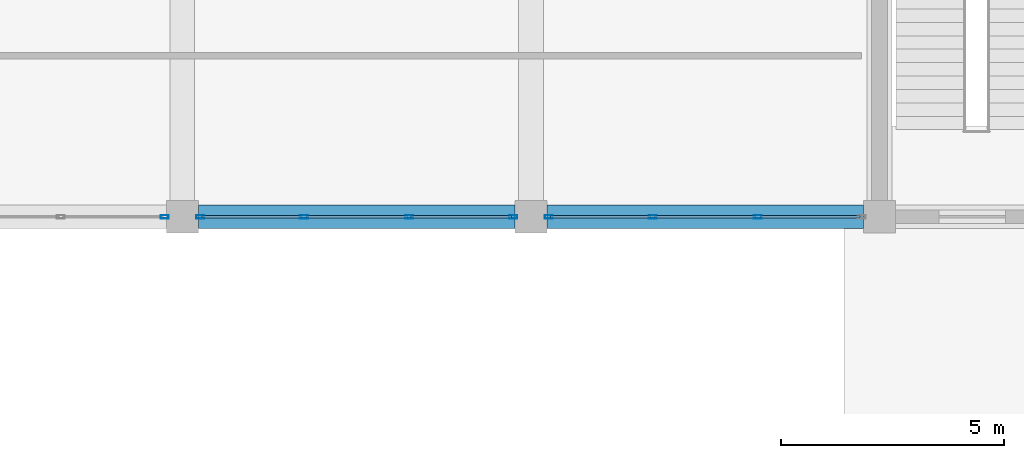
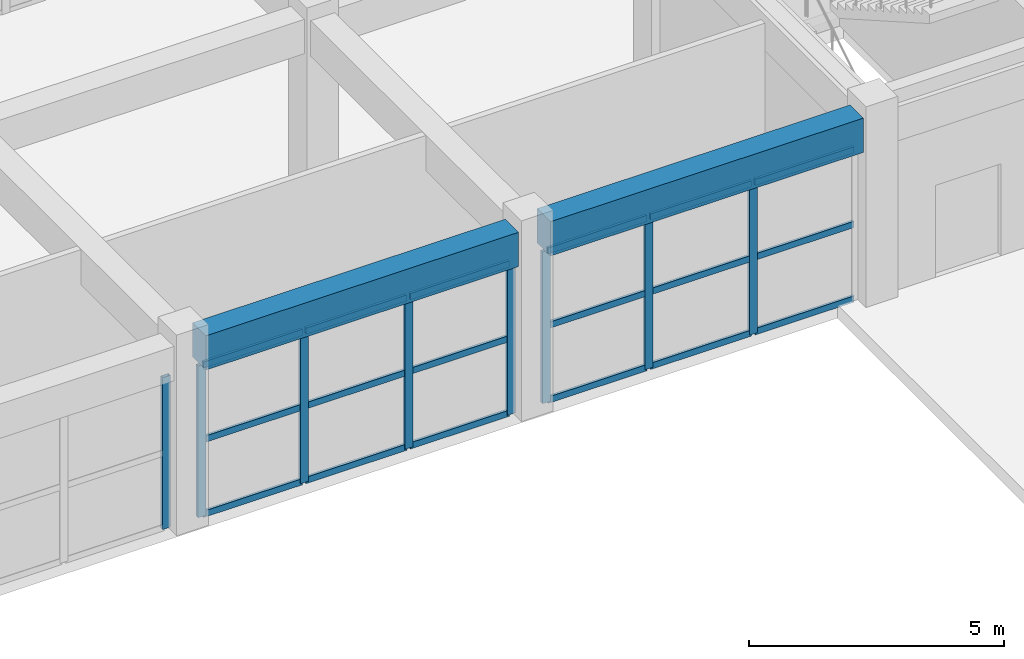
# One storey, part 78 of 139: 26 members, 2 beams, 3 elements without a shape of their own.
"""IFC4 building model written with IfcOpenShell, lengths in metres."""

import ifcopenshell
import ifcopenshell.guid

model = None  # the IFC model being written
_history = None  # IfcOwnerHistory: only IFC2X3 demands one
_inside = {}  # id of a spatial element -> (the spatial element, [elements in it])
_under = {}  # id of a project, library or spatial element -> (it, [spatial elements below it])
_declared = {}  # id of a project -> (the project, [libraries it declares])
_typed = {}  # id of a type object -> (the type object, [elements of that type])
_made_of = {}  # id of a material, layer set ... -> (it, [elements and type objects made of it])


def new_model(schema):
    """Start an empty IFC model of exactly this schema.

    Asked for "IFC4X3", IfcOpenShell would pick the latest addendum, in which some entities
    have other attributes; the version numbers below select the first issue.
    IFC2X3 requires an IfcOwnerHistory on every rooted entity: one is made here for all.
    """
    global model, _history
    if schema == "IFC4X3":
        model = ifcopenshell.file(schema_version=(4, 3, 0, 0))
    else:
        model = ifcopenshell.file(schema=schema)
    _inside.clear()
    _under.clear()
    _declared.clear()
    _typed.clear()
    _made_of.clear()
    _history = None
    if model.schema == "IFC2X3":
        org = make("IfcOrganization", Name="unknown")
        user = make(
            "IfcPersonAndOrganization",
            ThePerson=make("IfcPerson", FamilyName="unknown"),
            TheOrganization=org,
        )
        app = make(
            "IfcApplication",
            ApplicationDeveloper=org,
            Version="unknown",
            ApplicationFullName="unknown",
            ApplicationIdentifier="unknown",
        )
        _history = make(
            "IfcOwnerHistory",
            OwningUser=user,
            OwningApplication=app,
            ChangeAction="ADDED",
            CreationDate=0,
        )
    return model


def make(cls, **values):
    """One entity of the class cls with the attributes given. An attribute that is None is left unset."""
    return model.create_entity(
        cls, **{name: value for name, value in values.items() if value is not None}
    )


def rooted(cls, **values):
    """An entity with a GlobalId (a new one), such as an element, a storey or a relation."""
    return make(cls, GlobalId=ifcopenshell.guid.new(), OwnerHistory=_history, **values)


def si_unit(unit_type, name, prefix=None):
    """IfcSIUnit, for example si_unit("LENGTHUNIT", "METRE", prefix="MILLI")."""
    return make("IfcSIUnit", UnitType=unit_type, Prefix=prefix, Name=name)


def assignment(units):
    """IfcUnitAssignment: the units of a project."""
    return None if units is None else make("IfcUnitAssignment", Units=units)


def point(xyz):
    """IfcCartesianPoint."""
    return None if xyz is None else make("IfcCartesianPoint", Coordinates=xyz)


def direction(xyz):
    """IfcDirection."""
    return None if xyz is None else make("IfcDirection", DirectionRatios=xyz)


def frame(location, z_axis=None, x_axis=None):
    """IfcAxis2Placement3D, a coordinate frame: its origin and axes. An axis left out is left unset."""
    return make(
        "IfcAxis2Placement3D",
        Location=point(location),
        Axis=direction(z_axis),
        RefDirection=direction(x_axis),
    )


def frame_2d(location, x_axis=None):
    """IfcAxis2Placement2D, a coordinate frame in the plane: its origin and x axis."""
    return make(
        "IfcAxis2Placement2D", Location=point(location), RefDirection=direction(x_axis)
    )


def origin():
    """The frame at (0, 0, 0) with its axes left unset."""
    return frame((0.0, 0.0, 0.0))


def origin_2d():
    """The frame at (0, 0) in the plane with its x axis left unset."""
    return frame_2d((0.0, 0.0))


def place(relative_to, where):
    """IfcLocalPlacement: puts the frame where relative to a parent placement (None: the world)."""
    return make(
        "IfcLocalPlacement", PlacementRelTo=relative_to, RelativePlacement=where
    )


def context(
    kind, dimensions, precision=None, world=None, true_north=None, identifier=None
):
    """IfcGeometricRepresentationContext, for example the 3D "Model" context."""
    return make(
        "IfcGeometricRepresentationContext",
        ContextIdentifier=identifier,
        ContextType=kind,
        CoordinateSpaceDimension=dimensions,
        Precision=precision,
        WorldCoordinateSystem=world,
        TrueNorth=true_north,
    )


def subcontext(parent, identifier, kind, view, scale=None):
    """IfcGeometricRepresentationSubContext, for example "Body" below "Model"."""
    return make(
        "IfcGeometricRepresentationSubContext",
        ContextIdentifier=identifier,
        ContextType=kind,
        ParentContext=parent,
        TargetScale=scale,
        TargetView=view,
    )


def project(units=None, contexts=None):
    """IfcProject with its units and contexts."""
    return rooted(
        "IfcProject",
        Name="project",
        RepresentationContexts=contexts,
        UnitsInContext=assignment(units),
    )


def spatial(cls, under=None, at=None, **own):
    """A site, building, storey or space (cls), placed at a placement, below another one or the project."""
    s = rooted(cls, ObjectPlacement=at, **own)
    if under is not None:
        _under.setdefault(under.id(), (under, []))[1].append(s)
    return s


def profile(cls, at=None, kind="AREA", **sizes):
    """A parametric profile (cls). Its sizes go by their IFC names, for example OverallWidth=200.0."""
    return make(cls, ProfileType=kind, Position=at, **sizes)


def rectangle(**sizes):
    """IfcRectangleProfileDef."""
    return profile("IfcRectangleProfileDef", **sizes)


def hollow_rectangle(**sizes):
    """IfcRectangleHollowProfileDef."""
    return profile("IfcRectangleHollowProfileDef", **sizes)


def extrude(swept, where, along, depth):
    """IfcExtrudedAreaSolid: the profile swept, set in the frame where, extruded along a direction by depth."""
    return make(
        "IfcExtrudedAreaSolid",
        SweptArea=swept,
        Position=where,
        ExtrudedDirection=direction(along),
        Depth=depth,
    )


def shape(context_of_items, identifier, shape_type, items):
    """IfcShapeRepresentation: the items that make up one representation, for example the "Body"."""
    return make(
        "IfcShapeRepresentation",
        ContextOfItems=context_of_items,
        RepresentationIdentifier=identifier,
        RepresentationType=shape_type,
        Items=items,
    )


def material(Name=None, Category=None):
    """IfcMaterial."""
    return make("IfcMaterial", Name=Name, Category=Category)


def layer(
    of_material, thickness, ventilated=None, Name=None, Category=None, Priority=None
):
    """IfcMaterialLayer: one layer of a wall or slab, of a material (None: an air gap)."""
    return make(
        "IfcMaterialLayer",
        Material=of_material,
        LayerThickness=thickness,
        IsVentilated=ventilated,
        Name=Name,
        Category=Category,
        Priority=Priority,
    )


def layer_set(layers, Name=None):
    """IfcMaterialLayerSet."""
    return make("IfcMaterialLayerSet", MaterialLayers=layers, LayerSetName=Name)


def material_profile(
    of_material, cross_section, Name=None, Category=None, Priority=None
):
    """IfcMaterialProfile: a cross section and its material."""
    return make(
        "IfcMaterialProfile",
        Name=Name,
        Material=of_material,
        Profile=cross_section,
        Priority=Priority,
        Category=Category,
    )


def profile_set(profiles, Name=None, composite=None):
    """IfcMaterialProfileSet."""
    return make(
        "IfcMaterialProfileSet",
        Name=Name,
        MaterialProfiles=profiles,
        CompositeProfile=composite,
    )


def made_of(thing, what):
    """Note that an element or type object is made of a material, layer set ...; save() writes the relation."""
    if what is not None:
        _made_of.setdefault(what.id(), (what, []))[1].append(thing)
    return thing


def type_object(cls, material=None, **own):
    """A type object (cls), such as IfcWallType, which elements share."""
    return made_of(rooted(cls, **own), material)


def element(
    cls,
    number,
    at=None,
    inside=None,
    cuts=None,
    type_object=None,
    material=None,
    context=None,
    identifier="Body",
    shape_type=None,
    held_by="IfcProductDefinitionShape",
    body=None,
    shapes=None,
    **own,
):
    """One element of the class cls, such as IfcWall. Its Tag is "e" and its number.

    at: its placement. inside: the storey or other place that contains it. cuts: it is an
    opening in that element (IfcRelVoidsElement). A single representation is given by context,
    identifier, shape_type and body (its items); several are given by shapes. held_by: the class
    of the entity that holds the representations. save() writes the other relations.
    """
    e = rooted(cls, Tag="e%d" % number, ObjectPlacement=at, **own)
    if body is not None:
        shapes = [shape(context, identifier, shape_type, body)]
    if shapes is not None:
        e.Representation = make(held_by, Representations=shapes)
    if inside is not None:
        _inside.setdefault(inside.id(), (inside, []))[1].append(e)
    if cuts is not None:
        rooted(
            "IfcRelVoidsElement", RelatingBuildingElement=cuts, RelatedOpeningElement=e
        )
    if type_object is not None:
        _typed.setdefault(type_object.id(), (type_object, []))[1].append(e)
    return made_of(e, material)


def aggregate(whole, parts):
    """IfcRelAggregates: a whole, such as a stair, and the parts it consists of."""
    return rooted("IfcRelAggregates", RelatingObject=whole, RelatedObjects=parts)


def save(model, path):
    """Write the relations noted so far, then the file.

    IfcRelAggregates (storeys below a building ...), IfcRelContainedInSpatialStructure (elements
    in a storey), IfcRelDefinesByType, IfcRelAssociatesMaterial and IfcRelDeclares: one each for
    every whole, place, type object, material and project.
    """
    for whole, parts in _under.values():
        aggregate(whole, parts)
    for where, things in _inside.values():
        rooted(
            "IfcRelContainedInSpatialStructure",
            RelatedElements=things,
            RelatingStructure=where,
        )
    for kind, things in _typed.values():
        rooted("IfcRelDefinesByType", RelatedObjects=things, RelatingType=kind)
    for what, things in _made_of.values():
        rooted("IfcRelAssociatesMaterial", RelatedObjects=things, RelatingMaterial=what)
    for by, libraries in _declared.values():
        rooted("IfcRelDeclares", RelatingContext=by, RelatedDefinitions=libraries)
    model.write(path)


model = new_model("IFC4")

# Units and contexts
model_context = context("Model", 3, precision=1e-05, world=origin(), true_north=direction((0.0, 1.0)))
body_context = subcontext(model_context, "Body", "Model", "MODEL_VIEW")
ifc_project = project(units=[si_unit("LENGTHUNIT", "METRE"), si_unit("AREAUNIT", "SQUARE_METRE"), si_unit("VOLUMEUNIT", "CUBIC_METRE"), si_unit("PLANEANGLEUNIT", "RADIAN"), si_unit("MASSUNIT", "GRAM", prefix="KILO")], contexts=[model_context])

# Site, building, storey
site_placement = place(None, origin())
site = spatial("IfcSite", under=ifc_project, at=site_placement, CompositionType="ELEMENT")
building_placement = place(site_placement, origin())
building = spatial("IfcBuilding", under=site, at=building_placement, Name="Zizhar Promenade General Hospital", CompositionType="ELEMENT")
storey_placement = place(building_placement, origin())
storey = spatial("IfcBuildingStorey", under=building, at=storey_placement, Name="L00", CompositionType="ELEMENT", Elevation=0.0)

# Beams
ifc_material_1 = material(Name="Concrete C35/45", Category="concrete")
ifc_material_profile_1 = material_profile(ifc_material_1, rectangle(XDim=0.52001953125, YDim=0.820068359375, at=origin_2d()))
ifc_profile_set_1 = profile_set([ifc_material_profile_1], Name="Concrete C35/45")
beam_type = type_object("IfcBeamType", Name="BM-RC-520x820", PredefinedType="BEAM", material=ifc_profile_set_1)
beam_1_placement = place(storey_placement, frame((156.360107421875, 92.39990234375, 4.06005859375), z_axis=(1.0, 0.0, 0.0), x_axis=(0.0, 1.0, 0.0)))
element("IfcBeam", 1, at=beam_1_placement, inside=storey, type_object=beam_type, Name="Grid Beam X L00 (20-11)", PredefinedType="BEAM", context=body_context, shape_type="SweptSolid", body=[
    extrude(rectangle(XDim=0.52001953125, YDim=0.820068359375, at=origin_2d()), origin(), (0.0, 0.0, 1.0), 7.079833984375),
])
beam_2_placement = place(storey_placement, frame((164.159912109375, 92.39990234375, 4.06005859375), z_axis=(1.0, 0.0, 0.0), x_axis=(0.0, 1.0, 0.0)))
element("IfcBeam", 2, at=beam_2_placement, inside=storey, type_object=beam_type, Name="Grid Beam X L00 (21-11)", PredefinedType="BEAM", context=body_context, shape_type="SweptSolid", body=[
    extrude(rectangle(XDim=0.52001953125, YDim=0.820068359375, at=origin_2d()), origin(), (0.0, 0.0, 1.0), 7.080078125),
])

# Curtain wall, member
ifc_material_2 = material(Name="Anodised aluminium 6063-T6 and low-E glass", Category="aluminium")
ifc_layer = layer(ifc_material_2, 0.159912109375)
ifc_layer_set = layer_set([ifc_layer], Name="Anodised aluminium 6063-T6 and low-E glass")
curtain_wall_type = type_object("IfcCurtainWallType", Name="CW-CLN-CRT", PredefinedType="NOTDEFINED", material=ifc_layer_set)
curtain_wall_1_placement = place(storey_placement, origin())
curtain_wall_1 = element("IfcCurtainWall", 3, at=curtain_wall_1_placement, inside=storey, type_object=curtain_wall_type, Name="East Light Court North Glazing L00-19", PredefinedType="NOTDEFINED")
ifc_material_3 = material(Name="Anodised aluminium 6063-T6", Category="aluminium")
ifc_material_profile_2 = material_profile(ifc_material_3, hollow_rectangle(XDim=0.080078125, YDim=0.179931640625, WallThickness=0.0048828125, at=origin_2d()))
ifc_profile_set_2 = profile_set([ifc_material_profile_2], Name="Anodised aluminium 6063-T6")
member_type_1 = type_object("IfcMemberType", Name="CWM-ALU-180x80", PredefinedType="MULLION", material=ifc_profile_set_2)
member_1_placement = place(storey_placement, frame((155.60009765625, 92.39990234375, 0.0), z_axis=(0.0, 0.0, 1.0), x_axis=(0.0, -1.0, 0.0)))
member_1 = element("IfcMember", 4, at=member_1_placement, type_object=member_type_1, Name="CW-10 mullion 1", PredefinedType="MULLION", context=body_context, shape_type="SweptSolid", body=[
    extrude(hollow_rectangle(XDim=0.080078125, YDim=0.179931640625, WallThickness=0.0048828125, at=origin_2d()), origin(), (0.0, 0.0, 1.0), 3.6298828125),
])
aggregate(curtain_wall_1, [member_1])

# Curtain wall, members
curtain_wall_2_placement = place(storey_placement, origin())
curtain_wall_2 = element("IfcCurtainWall", 5, at=curtain_wall_2_placement, inside=storey, type_object=curtain_wall_type, Name="East Light Court North Glazing L00-20", PredefinedType="NOTDEFINED")
member_2_placement = place(storey_placement, frame((163.39990234375, 92.39990234375, 0.0), z_axis=(0.0, 0.0, 1.0), x_axis=(0.0, -1.0, 0.0)))
member_2 = element("IfcMember", 6, at=member_2_placement, type_object=member_type_1, Name="CW-10 mullion 1", PredefinedType="MULLION", context=body_context, shape_type="SweptSolid", body=[
    extrude(hollow_rectangle(XDim=0.080078125, YDim=0.179931640625, WallThickness=0.0048828125, at=origin_2d()), origin(), (0.0, 0.0, 1.0), 3.6298828125),
])
member_3_placement = place(storey_placement, frame((161.080078125, 92.39990234375, 0.0), z_axis=(0.0, 0.0, 1.0), x_axis=(0.0, -1.0, 0.0)))
member_3 = element("IfcMember", 7, at=member_3_placement, type_object=member_type_1, Name="CW-10 mullion 2", PredefinedType="MULLION", context=body_context, shape_type="SweptSolid", body=[
    extrude(hollow_rectangle(XDim=0.080078125, YDim=0.179931640625, WallThickness=0.0048828125, at=origin_2d()), origin(), (0.0, 0.0, 1.0), 3.6298828125),
])
member_4_placement = place(storey_placement, frame((158.719970703125, 92.39990234375, 0.0), z_axis=(0.0, 0.0, 1.0), x_axis=(0.0, -1.0, 0.0)))
member_4 = element("IfcMember", 8, at=member_4_placement, type_object=member_type_1, Name="CW-10 mullion 3", PredefinedType="MULLION", context=body_context, shape_type="SweptSolid", body=[
    extrude(hollow_rectangle(XDim=0.080078125, YDim=0.179931640625, WallThickness=0.0048828125, at=origin_2d()), origin(), (0.0, 0.0, 1.0), 3.6298828125),
])
member_5_placement = place(storey_placement, frame((156.39990234375, 92.39990234375, 0.0), z_axis=(0.0, 0.0, 1.0), x_axis=(0.0, -1.0, 0.0)))
member_5 = element("IfcMember", 9, at=member_5_placement, type_object=member_type_1, Name="CW-10 mullion 4", PredefinedType="MULLION", context=body_context, shape_type="SweptSolid", body=[
    extrude(hollow_rectangle(XDim=0.080078125, YDim=0.179931640625, WallThickness=0.0048828125, at=origin_2d()), origin(), (0.0, 0.0, 1.0), 3.6298828125),
])

curtain_wall_3_placement = place(storey_placement, origin())
curtain_wall_3 = element("IfcCurtainWall", 10, at=curtain_wall_3_placement, inside=storey, type_object=curtain_wall_type, Name="East Light Court North Glazing L00-21", PredefinedType="NOTDEFINED")
member_6_placement = place(storey_placement, frame((168.8798828125, 92.39990234375, 0.0), z_axis=(0.0, 0.0, 1.0), x_axis=(0.0, -1.0, 0.0)))
member_6 = element("IfcMember", 11, at=member_6_placement, type_object=member_type_1, Name="CW-10 mullion 2", PredefinedType="MULLION", context=body_context, shape_type="SweptSolid", body=[
    extrude(hollow_rectangle(XDim=0.080078125, YDim=0.179931640625, WallThickness=0.0048828125, at=origin_2d()), origin(), (0.0, 0.0, 1.0), 3.6298828125),
])
member_7_placement = place(storey_placement, frame((166.52001953125, 92.39990234375, 0.0), z_axis=(0.0, 0.0, 1.0), x_axis=(0.0, -1.0, 0.0)))
member_7 = element("IfcMember", 12, at=member_7_placement, type_object=member_type_1, Name="CW-10 mullion 3", PredefinedType="MULLION", context=body_context, shape_type="SweptSolid", body=[
    extrude(hollow_rectangle(XDim=0.080078125, YDim=0.179931640625, WallThickness=0.0048828125, at=origin_2d()), origin(), (0.0, 0.0, 1.0), 3.6298828125),
])
member_8_placement = place(storey_placement, frame((164.199951171875, 92.39990234375, 0.0), z_axis=(0.0, 0.0, 1.0), x_axis=(0.0, -1.0, 0.0)))
member_8 = element("IfcMember", 13, at=member_8_placement, type_object=member_type_1, Name="CW-10 mullion 4", PredefinedType="MULLION", context=body_context, shape_type="SweptSolid", body=[
    extrude(hollow_rectangle(XDim=0.080078125, YDim=0.179931640625, WallThickness=0.0048828125, at=origin_2d()), origin(), (0.0, 0.0, 1.0), 3.6298828125),
])

# Member
ifc_material_4 = material(Name="Anodised aluminium 6063-T6", Category="aluminium")
ifc_material_profile_3 = material_profile(ifc_material_4, hollow_rectangle(XDim=0.06005859375, YDim=0.14990234375, WallThickness=0.00390625, at=origin_2d()))
ifc_profile_set_3 = profile_set([ifc_material_profile_3], Name="Anodised aluminium 6063-T6")
member_type_2 = type_object("IfcMemberType", Name="CWT-ALU-150x60", PredefinedType="USERDEFINED", material=ifc_profile_set_3)
member_9_placement = place(storey_placement, frame((163.360107421875, 92.39990234375, 0.030029296875), z_axis=(-1.0, 0.0, 0.0), x_axis=(0.0, -1.0, 0.0)))
member_9 = element("IfcMember", 14, at=member_9_placement, type_object=member_type_2, Name="CW-10 transom 1.1", ObjectType="TRANSOM", PredefinedType="USERDEFINED", context=body_context, shape_type="SweptSolid", body=[
    extrude(hollow_rectangle(XDim=0.06005859375, YDim=0.14990234375, WallThickness=0.00390625, at=origin_2d()), origin(), (0.0, 0.0, 1.0), 2.239990234375),
])

member_10_placement = place(storey_placement, frame((163.360107421875, 92.39990234375, 1.81494140625), z_axis=(-1.0, 0.0, 0.0), x_axis=(0.0, -1.0, 0.0)))
member_10 = element("IfcMember", 15, at=member_10_placement, type_object=member_type_2, Name="CW-10 transom 1.2", ObjectType="TRANSOM", PredefinedType="USERDEFINED", context=body_context, shape_type="SweptSolid", body=[
    extrude(hollow_rectangle(XDim=0.06005859375, YDim=0.14990234375, WallThickness=0.00390625, at=origin_2d()), origin(), (0.0, 0.0, 1.0), 2.239990234375),
])

member_11_placement = place(storey_placement, frame((163.360107421875, 92.39990234375, 3.60009765625), z_axis=(-1.0, 0.0, 0.0), x_axis=(0.0, -1.0, 0.0)))
member_11 = element("IfcMember", 16, at=member_11_placement, type_object=member_type_2, Name="CW-10 transom 1.3", ObjectType="TRANSOM", PredefinedType="USERDEFINED", context=body_context, shape_type="SweptSolid", body=[
    extrude(hollow_rectangle(XDim=0.06005859375, YDim=0.14990234375, WallThickness=0.00390625, at=origin_2d()), origin(), (0.0, 0.0, 1.0), 2.239990234375),
])

member_12_placement = place(storey_placement, frame((161.0400390625, 92.39990234375, 0.030029296875), z_axis=(-1.0, 0.0, 0.0), x_axis=(0.0, -1.0, 0.0)))
member_12 = element("IfcMember", 17, at=member_12_placement, type_object=member_type_2, Name="CW-10 transom 2.1", ObjectType="TRANSOM", PredefinedType="USERDEFINED", context=body_context, shape_type="SweptSolid", body=[
    extrude(hollow_rectangle(XDim=0.06005859375, YDim=0.14990234375, WallThickness=0.00390625, at=origin_2d()), origin(), (0.0, 0.0, 1.0), 2.280029296875),
])

member_13_placement = place(storey_placement, frame((161.0400390625, 92.39990234375, 1.81494140625), z_axis=(-1.0, 0.0, 0.0), x_axis=(0.0, -1.0, 0.0)))
member_13 = element("IfcMember", 18, at=member_13_placement, type_object=member_type_2, Name="CW-10 transom 2.2", ObjectType="TRANSOM", PredefinedType="USERDEFINED", context=body_context, shape_type="SweptSolid", body=[
    extrude(hollow_rectangle(XDim=0.06005859375, YDim=0.14990234375, WallThickness=0.00390625, at=origin_2d()), origin(), (0.0, 0.0, 1.0), 2.280029296875),
])

member_14_placement = place(storey_placement, frame((161.0400390625, 92.39990234375, 3.60009765625), z_axis=(-1.0, 0.0, 0.0), x_axis=(0.0, -1.0, 0.0)))
member_14 = element("IfcMember", 19, at=member_14_placement, type_object=member_type_2, Name="CW-10 transom 2.3", ObjectType="TRANSOM", PredefinedType="USERDEFINED", context=body_context, shape_type="SweptSolid", body=[
    extrude(hollow_rectangle(XDim=0.06005859375, YDim=0.14990234375, WallThickness=0.00390625, at=origin_2d()), origin(), (0.0, 0.0, 1.0), 2.280029296875),
])

member_15_placement = place(storey_placement, frame((158.679931640625, 92.39990234375, 0.030029296875), z_axis=(-1.0, 0.0, 0.0), x_axis=(0.0, -1.0, 0.0)))
member_15 = element("IfcMember", 20, at=member_15_placement, type_object=member_type_2, Name="CW-10 transom 3.1", ObjectType="TRANSOM", PredefinedType="USERDEFINED", context=body_context, shape_type="SweptSolid", body=[
    extrude(hollow_rectangle(XDim=0.06005859375, YDim=0.14990234375, WallThickness=0.00390625, at=origin_2d()), origin(), (0.0, 0.0, 1.0), 2.239990234375),
])

member_16_placement = place(storey_placement, frame((158.679931640625, 92.39990234375, 1.81494140625), z_axis=(-1.0, 0.0, 0.0), x_axis=(0.0, -1.0, 0.0)))
member_16 = element("IfcMember", 21, at=member_16_placement, type_object=member_type_2, Name="CW-10 transom 3.2", ObjectType="TRANSOM", PredefinedType="USERDEFINED", context=body_context, shape_type="SweptSolid", body=[
    extrude(hollow_rectangle(XDim=0.06005859375, YDim=0.14990234375, WallThickness=0.00390625, at=origin_2d()), origin(), (0.0, 0.0, 1.0), 2.239990234375),
])

member_17_placement = place(storey_placement, frame((158.679931640625, 92.39990234375, 3.60009765625), z_axis=(-1.0, 0.0, 0.0), x_axis=(0.0, -1.0, 0.0)))
member_17 = element("IfcMember", 22, at=member_17_placement, type_object=member_type_2, Name="CW-10 transom 3.3", ObjectType="TRANSOM", PredefinedType="USERDEFINED", context=body_context, shape_type="SweptSolid", body=[
    extrude(hollow_rectangle(XDim=0.06005859375, YDim=0.14990234375, WallThickness=0.00390625, at=origin_2d()), origin(), (0.0, 0.0, 1.0), 2.239990234375),
])

aggregate(curtain_wall_2, [member_2, member_3, member_4, member_5, member_9, member_10, member_11, member_12, member_13, member_14, member_15, member_16, member_17])

member_18_placement = place(storey_placement, frame((171.159912109375, 92.39990234375, 0.030029296875), z_axis=(-1.0, 0.0, 0.0), x_axis=(0.0, -1.0, 0.0)))
member_18 = element("IfcMember", 23, at=member_18_placement, type_object=member_type_2, Name="CW-10 transom 1.1", ObjectType="TRANSOM", PredefinedType="USERDEFINED", context=body_context, shape_type="SweptSolid", body=[
    extrude(hollow_rectangle(XDim=0.06005859375, YDim=0.14990234375, WallThickness=0.00390625, at=origin_2d()), origin(), (0.0, 0.0, 1.0), 2.239990234375),
])

member_19_placement = place(storey_placement, frame((171.159912109375, 92.39990234375, 1.81494140625), z_axis=(-1.0, 0.0, 0.0), x_axis=(0.0, -1.0, 0.0)))
member_19 = element("IfcMember", 24, at=member_19_placement, type_object=member_type_2, Name="CW-10 transom 1.2", ObjectType="TRANSOM", PredefinedType="USERDEFINED", context=body_context, shape_type="SweptSolid", body=[
    extrude(hollow_rectangle(XDim=0.06005859375, YDim=0.14990234375, WallThickness=0.00390625, at=origin_2d()), origin(), (0.0, 0.0, 1.0), 2.239990234375),
])

member_20_placement = place(storey_placement, frame((171.159912109375, 92.39990234375, 3.60009765625), z_axis=(-1.0, 0.0, 0.0), x_axis=(0.0, -1.0, 0.0)))
member_20 = element("IfcMember", 25, at=member_20_placement, type_object=member_type_2, Name="CW-10 transom 1.3", ObjectType="TRANSOM", PredefinedType="USERDEFINED", context=body_context, shape_type="SweptSolid", body=[
    extrude(hollow_rectangle(XDim=0.06005859375, YDim=0.14990234375, WallThickness=0.00390625, at=origin_2d()), origin(), (0.0, 0.0, 1.0), 2.239990234375),
])

member_21_placement = place(storey_placement, frame((168.840087890625, 92.39990234375, 0.030029296875), z_axis=(-1.0, 0.0, 0.0), x_axis=(0.0, -1.0, 0.0)))
member_21 = element("IfcMember", 26, at=member_21_placement, type_object=member_type_2, Name="CW-10 transom 2.1", ObjectType="TRANSOM", PredefinedType="USERDEFINED", context=body_context, shape_type="SweptSolid", body=[
    extrude(hollow_rectangle(XDim=0.06005859375, YDim=0.14990234375, WallThickness=0.00390625, at=origin_2d()), origin(), (0.0, 0.0, 1.0), 2.280029296875),
])

member_22_placement = place(storey_placement, frame((168.840087890625, 92.39990234375, 1.81494140625), z_axis=(-1.0, 0.0, 0.0), x_axis=(0.0, -1.0, 0.0)))
member_22 = element("IfcMember", 27, at=member_22_placement, type_object=member_type_2, Name="CW-10 transom 2.2", ObjectType="TRANSOM", PredefinedType="USERDEFINED", context=body_context, shape_type="SweptSolid", body=[
    extrude(hollow_rectangle(XDim=0.06005859375, YDim=0.14990234375, WallThickness=0.00390625, at=origin_2d()), origin(), (0.0, 0.0, 1.0), 2.280029296875),
])

member_23_placement = place(storey_placement, frame((168.840087890625, 92.39990234375, 3.60009765625), z_axis=(-1.0, 0.0, 0.0), x_axis=(0.0, -1.0, 0.0)))
member_23 = element("IfcMember", 28, at=member_23_placement, type_object=member_type_2, Name="CW-10 transom 2.3", ObjectType="TRANSOM", PredefinedType="USERDEFINED", context=body_context, shape_type="SweptSolid", body=[
    extrude(hollow_rectangle(XDim=0.06005859375, YDim=0.14990234375, WallThickness=0.00390625, at=origin_2d()), origin(), (0.0, 0.0, 1.0), 2.280029296875),
])

member_24_placement = place(storey_placement, frame((166.47998046875, 92.39990234375, 0.030029296875), z_axis=(-1.0, 0.0, 0.0), x_axis=(0.0, -1.0, 0.0)))
member_24 = element("IfcMember", 29, at=member_24_placement, type_object=member_type_2, Name="CW-10 transom 3.1", ObjectType="TRANSOM", PredefinedType="USERDEFINED", context=body_context, shape_type="SweptSolid", body=[
    extrude(hollow_rectangle(XDim=0.06005859375, YDim=0.14990234375, WallThickness=0.00390625, at=origin_2d()), origin(), (0.0, 0.0, 1.0), 2.239990234375),
])

member_25_placement = place(storey_placement, frame((166.47998046875, 92.39990234375, 1.81494140625), z_axis=(-1.0, 0.0, 0.0), x_axis=(0.0, -1.0, 0.0)))
member_25 = element("IfcMember", 30, at=member_25_placement, type_object=member_type_2, Name="CW-10 transom 3.2", ObjectType="TRANSOM", PredefinedType="USERDEFINED", context=body_context, shape_type="SweptSolid", body=[
    extrude(hollow_rectangle(XDim=0.06005859375, YDim=0.14990234375, WallThickness=0.00390625, at=origin_2d()), origin(), (0.0, 0.0, 1.0), 2.239990234375),
])

member_26_placement = place(storey_placement, frame((166.47998046875, 92.39990234375, 3.60009765625), z_axis=(-1.0, 0.0, 0.0), x_axis=(0.0, -1.0, 0.0)))
member_26 = element("IfcMember", 31, at=member_26_placement, type_object=member_type_2, Name="CW-10 transom 3.3", ObjectType="TRANSOM", PredefinedType="USERDEFINED", context=body_context, shape_type="SweptSolid", body=[
    extrude(hollow_rectangle(XDim=0.06005859375, YDim=0.14990234375, WallThickness=0.00390625, at=origin_2d()), origin(), (0.0, 0.0, 1.0), 2.239990234375),
])

aggregate(curtain_wall_3, [member_6, member_7, member_8, member_18, member_19, member_20, member_21, member_22, member_23, member_24, member_25, member_26])

save(model, "model.ifc")
